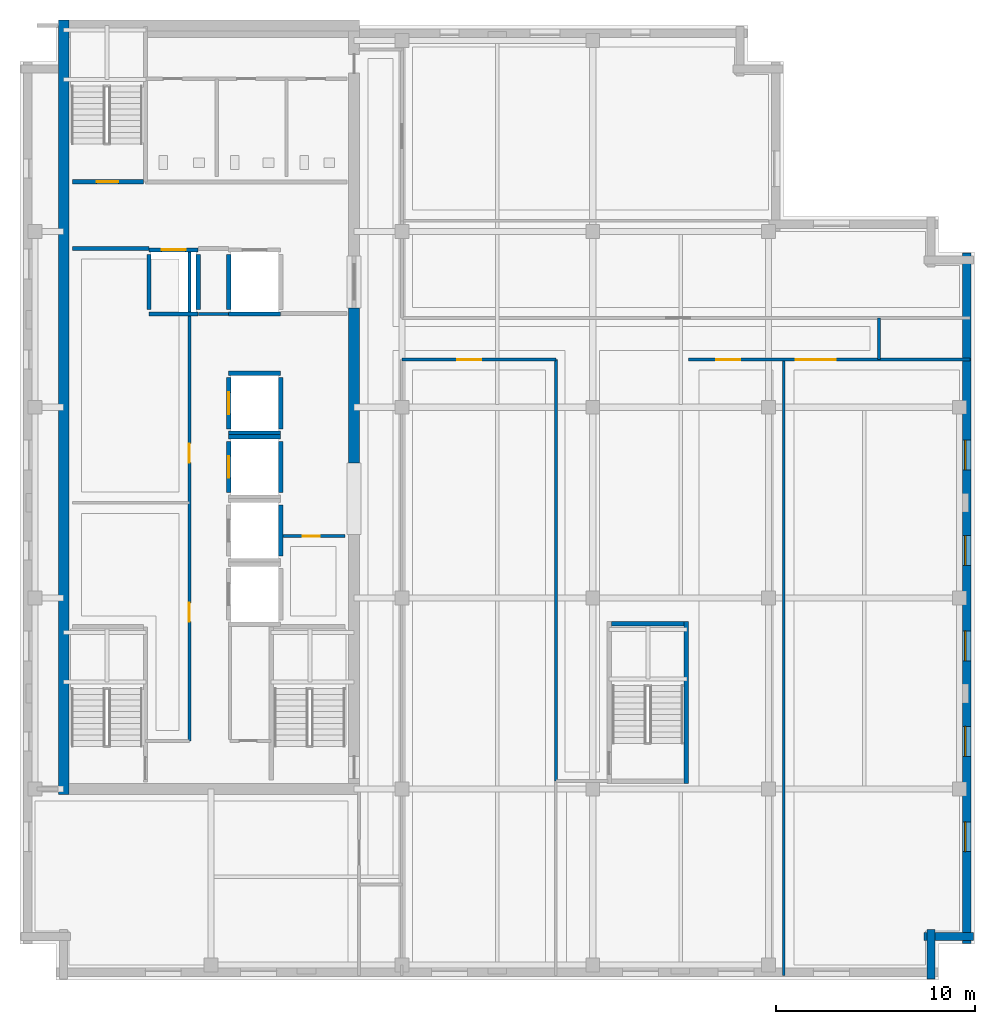
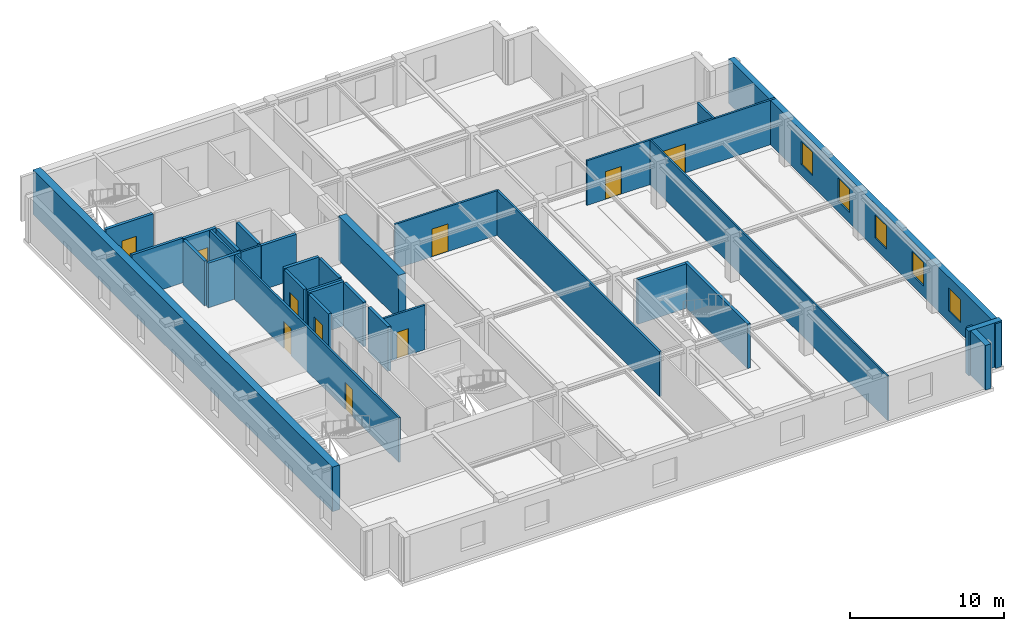
# One storey, part 4 of 11: 31 walls, 10 doors, 5 windows, 15 openings.
"""IFC4 building model written with IfcOpenShell, lengths in metres."""

from ifc_helpers import new_model, si_unit, direction, frame, frame_2d, origin, place, context, subcontext, project, spatial, rectangle, extrude, material, layer, layer_set, type_object, element, fill, save


model = new_model("IFC4")

# Units and contexts
model_context = context("Model", 3, precision=1e-05, world=origin(), true_north=direction((0.0, 1.0)))
body_context = subcontext(model_context, "Body", "Model", "MODEL_VIEW")
ifc_project = project(units=[si_unit("LENGTHUNIT", "METRE"), si_unit("AREAUNIT", "SQUARE_METRE"), si_unit("VOLUMEUNIT", "CUBIC_METRE"), si_unit("PLANEANGLEUNIT", "RADIAN"), si_unit("MASSUNIT", "GRAM", prefix="KILO")], contexts=[model_context])

# Site, building, storey
site_placement = place(None, origin())
site = spatial("IfcSite", under=ifc_project, at=site_placement, CompositionType="ELEMENT")
building_placement = place(site_placement, origin())
building = spatial("IfcBuilding", under=site, at=building_placement, Name="Norrvale University Quadrangle", CompositionType="ELEMENT")
storey_placement = place(building_placement, frame((0.0, 0.0, 300.0)))
storey = spatial("IfcBuildingStorey", under=building, at=storey_placement, Name="L76", CompositionType="ELEMENT", Elevation=300.0)

# Walls
ifc_material_1 = material(Name="Buff Norman Clay Brick Masonry", Category="masonry")
ifc_layer_1 = layer(ifc_material_1, 0.419921875, Name="Buff Norman Clay Brick Masonry")
ifc_layer_set_1 = layer_set([ifc_layer_1], Name="Buff Norman Clay Brick Masonry")
wall_type_1 = type_object("IfcWallType", Name="Wall Buff Brick 420", PredefinedType="SOLIDWALL", material=ifc_layer_set_1)
for number, where, z_axis, x_axis, name in (
    (1, (45.81005859375, 0.0400390625, 0.0), (0.0, 0.0, 1.0), (0.0, 1.0, 0.0), "Exterior Brick Facade Wall L76-02.1"),
    (2, (45.4599609375, 2.18994140625, 0.0), (0.0, 0.0, 1.0), (1.0, 0.0, 0.0), "Exterior Brick Facade Wall L76-03.1"),
):
    element("IfcWall", number, at=place(storey_placement, frame(where, z_axis=z_axis, x_axis=x_axis)), inside=storey, type_object=wall_type_1, Name=name, PredefinedType="SOLIDWALL", context=body_context, shape_type="SweptSolid", body=[
        extrude(rectangle(XDim=2.5, YDim=0.419921875, at=frame_2d((1.25, 0.0))), origin(), (0.0, 0.0, 1.0), 3.5400390625),
    ])

# Wall, openings, windows
wall_1_placement = place(storey_placement, frame((47.610107421875, 1.840087890625, 0.0), z_axis=(0.0, 0.0, 1.0), x_axis=(0.0, 1.0, 0.0)))
wall_1 = element("IfcWall", 3, at=wall_1_placement, inside=storey, type_object=wall_type_1, Name="Exterior Brick Facade Wall L76-04.1", PredefinedType="SOLIDWALL", context=body_context, shape_type="SweptSolid", body=[
    extrude(rectangle(XDim=34.719970703125, YDim=0.419921875, at=frame_2d((17.35986328125, 0.0))), origin(), (0.0, 0.0, 1.0), 3.5400390625),
])
opening_1_placement = place(wall_1_placement, frame((4.610107421875, 0.0, 0.85009765625)))
opening_1 = element("IfcOpeningElement", 4, at=opening_1_placement, cuts=wall_1, Name="Opening W03", PredefinedType="OPENING", context=body_context, shape_type="SweptSolid", body=[
    extrude(rectangle(XDim=1.5, YDim=1.85009765625, at=frame_2d((0.75, 0.925048828125))), frame((0.0, 0.221923828125, 0.0), z_axis=(0.0, -1.0, 0.0), x_axis=(1.0, 0.0, 0.0)), (0.0, 0.0, 1.0), 0.44384765625),
])
opening_2_placement = place(wall_1_placement, frame((9.409912109375, 0.0, 0.85009765625)))
opening_2 = element("IfcOpeningElement", 5, at=opening_2_placement, cuts=wall_1, Name="Opening W03", PredefinedType="OPENING", context=body_context, shape_type="SweptSolid", body=[
    extrude(rectangle(XDim=1.5, YDim=1.85009765625, at=frame_2d((0.75, 0.925048828125))), frame((0.0, 0.221923828125, 0.0), z_axis=(0.0, -1.0, 0.0), x_axis=(1.0, 0.0, 0.0)), (0.0, 0.0, 1.0), 0.44384765625),
])
opening_3_placement = place(wall_1_placement, frame((14.2099609375, 0.0, 0.85009765625)))
opening_3 = element("IfcOpeningElement", 6, at=opening_3_placement, cuts=wall_1, Name="Opening W03", PredefinedType="OPENING", context=body_context, shape_type="SweptSolid", body=[
    extrude(rectangle(XDim=1.5, YDim=1.85009765625, at=frame_2d((0.75, 0.925048828125))), frame((0.0, 0.221923828125, 0.0), z_axis=(0.0, -1.0, 0.0), x_axis=(1.0, 0.0, 0.0)), (0.0, 0.0, 1.0), 0.44384765625),
])
opening_4_placement = place(wall_1_placement, frame((19.010009765625, 0.0, 0.85009765625)))
opening_4 = element("IfcOpeningElement", 7, at=opening_4_placement, cuts=wall_1, Name="Opening W03", PredefinedType="OPENING", context=body_context, shape_type="SweptSolid", body=[
    extrude(rectangle(XDim=1.5, YDim=1.85009765625, at=frame_2d((0.75, 0.925048828125))), frame((0.0, 0.221923828125, 0.0), z_axis=(0.0, -1.0, 0.0), x_axis=(1.0, 0.0, 0.0)), (0.0, 0.0, 1.0), 0.44384765625),
])
opening_5_placement = place(wall_1_placement, frame((23.81005859375, 0.0, 0.85009765625)))
opening_5 = element("IfcOpeningElement", 8, at=opening_5_placement, cuts=wall_1, Name="Opening W03", PredefinedType="OPENING", context=body_context, shape_type="SweptSolid", body=[
    extrude(rectangle(XDim=1.5, YDim=1.85009765625, at=frame_2d((0.75, 0.925048828125))), frame((0.0, 0.221923828125, 0.0), z_axis=(0.0, -1.0, 0.0), x_axis=(1.0, 0.0, 0.0)), (0.0, 0.0, 1.0), 0.44384765625),
])
ifc_material_2 = material(Name="Triple Low-E Argon Glazing", Category="glass")
window_type = type_object("IfcWindowType", Name="Window Studio 1500x2300", PartitioningType="DOUBLE_PANEL_VERTICAL", PredefinedType="WINDOW", material=ifc_material_2)
window_1_placement = place(opening_1_placement, origin())
window_1 = element("IfcWindow", 9, at=window_1_placement, inside=storey, type_object=window_type, Name="Window Studio 1500x2300 WIN-L76-E04-1-01", OverallHeight=1.85009765625, OverallWidth=1.5, PartitioningType="DOUBLE_PANEL_VERTICAL", PredefinedType="WINDOW", context=body_context, shape_type="SweptSolid", body=[
    extrude(rectangle(XDim=1.5, YDim=1.85009765625, at=frame_2d((0.75, 0.925048828125))), frame((0.0, 0.110107421875, 0.0), z_axis=(0.0, -1.0, 0.0), x_axis=(1.0, 0.0, 0.0)), (0.0, 0.0, 1.0), 0.06005859375),
])
fill(opening_1, window_1)
window_2_placement = place(opening_2_placement, origin())
window_2 = element("IfcWindow", 10, at=window_2_placement, inside=storey, type_object=window_type, Name="Window Studio 1500x2300 WIN-L76-E04-1-02", OverallHeight=1.85009765625, OverallWidth=1.5, PartitioningType="DOUBLE_PANEL_VERTICAL", PredefinedType="WINDOW", context=body_context, shape_type="SweptSolid", body=[
    extrude(rectangle(XDim=1.5, YDim=1.85009765625, at=frame_2d((0.75, 0.925048828125))), frame((0.0, 0.110107421875, 0.0), z_axis=(0.0, -1.0, 0.0), x_axis=(1.0, 0.0, 0.0)), (0.0, 0.0, 1.0), 0.06005859375),
])
fill(opening_2, window_2)
window_3_placement = place(opening_3_placement, origin())
window_3 = element("IfcWindow", 11, at=window_3_placement, inside=storey, type_object=window_type, Name="Window Studio 1500x2300 WIN-L76-E04-1-03", OverallHeight=1.85009765625, OverallWidth=1.5, PartitioningType="DOUBLE_PANEL_VERTICAL", PredefinedType="WINDOW", context=body_context, shape_type="SweptSolid", body=[
    extrude(rectangle(XDim=1.5, YDim=1.85009765625, at=frame_2d((0.75, 0.925048828125))), frame((0.0, 0.110107421875, 0.0), z_axis=(0.0, -1.0, 0.0), x_axis=(1.0, 0.0, 0.0)), (0.0, 0.0, 1.0), 0.06005859375),
])
fill(opening_3, window_3)
window_4_placement = place(opening_4_placement, origin())
window_4 = element("IfcWindow", 12, at=window_4_placement, inside=storey, type_object=window_type, Name="Window Studio 1500x2300 WIN-L76-E04-1-04", OverallHeight=1.85009765625, OverallWidth=1.5, PartitioningType="DOUBLE_PANEL_VERTICAL", PredefinedType="WINDOW", context=body_context, shape_type="SweptSolid", body=[
    extrude(rectangle(XDim=1.5, YDim=1.85009765625, at=frame_2d((0.75, 0.925048828125))), frame((0.0, 0.110107421875, 0.0), z_axis=(0.0, -1.0, 0.0), x_axis=(1.0, 0.0, 0.0)), (0.0, 0.0, 1.0), 0.06005859375),
])
fill(opening_4, window_4)
window_5_placement = place(opening_5_placement, origin())
window_5 = element("IfcWindow", 13, at=window_5_placement, inside=storey, type_object=window_type, Name="Window Studio 1500x2300 WIN-L76-E04-1-05", OverallHeight=1.85009765625, OverallWidth=1.5, PartitioningType="DOUBLE_PANEL_VERTICAL", PredefinedType="WINDOW", context=body_context, shape_type="SweptSolid", body=[
    extrude(rectangle(XDim=1.5, YDim=1.85009765625, at=frame_2d((0.75, 0.925048828125))), frame((0.0, 0.110107421875, 0.0), z_axis=(0.0, -1.0, 0.0), x_axis=(1.0, 0.0, 0.0)), (0.0, 0.0, 1.0), 0.06005859375),
])
fill(opening_5, window_5)

# Walls
ifc_material_3 = material(Name="Concrete C60/75", Category="concrete")
ifc_layer_2 = layer(ifc_material_3, 0.550048828125, Name="Concrete C60/75")
ifc_layer_set_2 = layer_set([ifc_layer_2], Name="Concrete C60/75")
wall_type_2 = type_object("IfcWallType", Name="Wall Core 550", PredefinedType="SHEAR", material=ifc_layer_set_2)
wall_2_placement = place(storey_placement, frame((2.199951171875, 9.324951171875, 0.0), z_axis=(0.0, 0.0, 1.0), x_axis=(0.0, 1.0, 0.0)))
element("IfcWall", 14, at=wall_2_placement, inside=storey, type_object=wall_type_2, Name="Tower Core Shear Wall L76-W", PredefinedType="SHEAR", context=body_context, shape_type="SweptSolid", body=[
    extrude(rectangle(XDim=38.949951171875, YDim=0.550048828125, at=frame_2d((19.47509765625, 0.0))), origin(), (0.0, 0.0, 1.0), 3.5400390625),
])
wall_3_placement = place(storey_placement, frame((16.800048828125, 26.0, 0.0), z_axis=(0.0, 0.0, 1.0), x_axis=(0.0, 1.0, 0.0)))
element("IfcWall", 15, at=wall_3_placement, inside=storey, type_object=wall_type_2, Name="Tower Core Shear Wall L76-E2", PredefinedType="SHEAR", context=body_context, shape_type="SweptSolid", body=[
    extrude(rectangle(XDim=7.800048828125, YDim=0.550048828125, at=frame_2d((3.89990234375, 0.0))), origin(), (0.0, 0.0, 1.0), 3.5400390625),
])
ifc_material_4 = material(Name="Standard Academic Gypsum Partition")
ifc_layer_3 = layer(ifc_material_4, 0.125, Name="Standard Academic Gypsum Partition")
ifc_layer_set_3 = layer_set([ifc_layer_3], Name="Standard Academic Gypsum Partition")
wall_type_3 = type_object("IfcWallType", Name="Wall Gypsum Academic 125", PredefinedType="PARTITIONING", material=ifc_layer_set_3)
wall_4_placement = place(storey_placement, frame((38.39990234375, 0.219970703125, 0.0), z_axis=(0.0, 0.0, 1.0), x_axis=(0.0, 1.0, 0.0)))
element("IfcWall", 16, at=wall_4_placement, inside=storey, type_object=wall_type_3, Name="Interior Partition WL-L76-SEP2", PredefinedType="PARTITIONING", context=body_context, shape_type="SweptSolid", body=[
    extrude(rectangle(XDim=30.97998046875, YDim=0.125, at=frame_2d((15.489990234375, 0.0))), origin(), (0.0, 0.0, 1.0), 3.5400390625),
])
ifc_material_5 = material(Name="Fire-Rated Gypsum Stud Partition")
ifc_layer_4 = layer(ifc_material_5, 0.14990234375, Name="Fire-Rated Gypsum Stud Partition")
ifc_layer_set_4 = layer_set([ifc_layer_4], Name="Fire-Rated Gypsum Stud Partition")
wall_type_4 = type_object("IfcWallType", Name="Wall Gypsum Corridor 150", PredefinedType="PARTITIONING", material=ifc_layer_set_4)
wall_5_placement = place(storey_placement, frame((8.965087890625, 33.489990234375, 0.0), z_axis=(0.0, 0.0, 1.0), x_axis=(1.0, 0.0, 0.0)))
element("IfcWall", 17, at=wall_5_placement, inside=storey, type_object=wall_type_4, Name="Interior Partition WL-L76-LL3", PredefinedType="PARTITIONING", context=body_context, shape_type="SweptSolid", body=[
    extrude(rectangle(XDim=1.52001953125, YDim=0.14990234375, at=frame_2d((0.760009765625, 0.0))), origin(), (0.0, 0.0, 1.0), 3.5400390625),
])

# Wall, opening, door
wall_6_placement = place(storey_placement, frame((13.22509765625, 22.320068359375, 0.0), z_axis=(0.0, 0.0, 1.0), x_axis=(1.0, 0.0, 0.0)))
wall_6 = element("IfcWall", 18, at=wall_6_placement, inside=storey, type_object=wall_type_4, Name="Interior Partition WL-L76-JAN-N", PredefinedType="PARTITIONING", context=body_context, shape_type="SweptSolid", body=[
    extrude(rectangle(XDim=3.119873046875, YDim=0.14990234375, at=frame_2d((1.56005859375, 0.0))), origin(), (0.0, 0.0, 1.0), 3.5400390625),
])
opening_6_placement = place(wall_6_placement, frame((1.0, 0.0, 0.0)))
opening_6 = element("IfcOpeningElement", 19, at=opening_6_placement, cuts=wall_6, Name="Opening D10", PredefinedType="OPENING", context=body_context, shape_type="SweptSolid", body=[
    extrude(rectangle(XDim=0.85009765625, YDim=2.10009765625, at=frame_2d((0.425048828125, 1.050048828125))), frame((0.0, 0.0869140625, 0.0), z_axis=(0.0, -1.0, 0.0), x_axis=(1.0, 0.0, 0.0)), (0.0, 0.0, 1.0), 0.173828125),
])
ifc_material_6 = material(Name="Hollow Steel 350W Riser Fire Door", Category="steel")
door_type_1 = type_object("IfcDoorType", Name="Door Riser 850x2100", OperationType="NOTDEFINED", PredefinedType="DOOR", material=ifc_material_6)
door_1_placement = place(opening_6_placement, origin())
door_1 = element("IfcDoor", 20, at=door_1_placement, inside=storey, type_object=door_type_1, Name="Door Riser 850x2100 DR-L76-JAN", OperationType="SINGLE_SWING_LEFT", OverallHeight=2.10009765625, OverallWidth=0.85009765625, PredefinedType="DOOR", context=body_context, shape_type="SweptSolid", body=[
    extrude(rectangle(XDim=0.85009765625, YDim=2.10009765625, at=frame_2d((0.425048828125, 1.050048828125))), frame((0.0, 0.02490234375, 0.0), z_axis=(0.0, -1.0, 0.0), x_axis=(1.0, 0.0, 0.0)), (0.0, 0.0, 1.0), 0.050048828125),
])
fill(opening_6, door_1)

# Wall, openings, doors
wall_7_placement = place(storey_placement, frame((8.52001953125, 12.02001953125, 0.0), z_axis=(0.0, 0.0, 1.0), x_axis=(0.0, 1.0, 0.0)))
wall_7 = element("IfcWall", 21, at=wall_7_placement, inside=storey, type_object=wall_type_4, Name="Interior Partition WL-L76-REC-E", PredefinedType="PARTITIONING", context=body_context, shape_type="SweptSolid", body=[
    extrude(rectangle(XDim=24.760009765625, YDim=0.14990234375, at=frame_2d((12.3798828125, 0.0))), origin(), (0.0, 0.0, 1.0), 3.5400390625),
])
opening_7_placement = place(wall_7_placement, frame((6.0, 0.0, 0.0)))
opening_7 = element("IfcOpeningElement", 22, at=opening_7_placement, cuts=wall_7, Name="Opening D07", PredefinedType="OPENING", context=body_context, shape_type="SweptSolid", body=[
    extrude(rectangle(XDim=0.949951171875, YDim=2.14990234375, at=frame_2d((0.47509765625, 1.074951171875))), frame((0.0, 0.0869140625, 0.0), z_axis=(0.0, -1.0, 0.0), x_axis=(1.0, 0.0, 0.0)), (0.0, 0.0, 1.0), 0.173828125),
])
opening_8_placement = place(wall_7_placement, frame((14.0, 0.0, 0.0)))
opening_8 = element("IfcOpeningElement", 23, at=opening_8_placement, cuts=wall_7, Name="Opening D07", PredefinedType="OPENING", context=body_context, shape_type="SweptSolid", body=[
    extrude(rectangle(XDim=0.949951171875, YDim=2.14990234375, at=frame_2d((0.47509765625, 1.074951171875))), frame((0.0, 0.0869140625, 0.0), z_axis=(0.0, -1.0, 0.0), x_axis=(1.0, 0.0, 0.0)), (0.0, 0.0, 1.0), 0.173828125),
])
ifc_material_7 = material(Name="Solid-Core Maple Door", Category="wood")
door_type_2 = type_object("IfcDoorType", Name="Door Office 950x2150", OperationType="NOTDEFINED", PredefinedType="DOOR", material=ifc_material_7)
door_2_placement = place(opening_7_placement, origin())
door_2 = element("IfcDoor", 24, at=door_2_placement, inside=storey, type_object=door_type_2, Name="Door Office 950x2150 DR-L76-REC1", OperationType="SINGLE_SWING_LEFT", OverallHeight=2.14990234375, OverallWidth=0.949951171875, PredefinedType="DOOR", context=body_context, shape_type="SweptSolid", body=[
    extrude(rectangle(XDim=0.949951171875, YDim=2.14990234375, at=frame_2d((0.47509765625, 1.074951171875))), frame((0.0, 0.02490234375, 0.0), z_axis=(0.0, -1.0, 0.0), x_axis=(1.0, 0.0, 0.0)), (0.0, 0.0, 1.0), 0.050048828125),
])
fill(opening_7, door_2)
door_3_placement = place(opening_8_placement, origin())
door_3 = element("IfcDoor", 25, at=door_3_placement, inside=storey, type_object=door_type_2, Name="Door Office 950x2150 DR-L76-REC2", OperationType="SINGLE_SWING_RIGHT", OverallHeight=2.14990234375, OverallWidth=0.949951171875, PredefinedType="DOOR", context=body_context, shape_type="SweptSolid", body=[
    extrude(rectangle(XDim=0.949951171875, YDim=2.14990234375, at=frame_2d((0.47509765625, 1.074951171875))), frame((0.0, 0.02490234375, 0.0), z_axis=(0.0, -1.0, 0.0), x_axis=(1.0, 0.0, 0.0)), (0.0, 0.0, 1.0), 0.050048828125),
])
fill(opening_8, door_3)

# Wall
wall_8_placement = place(storey_placement, frame((43.199951171875, 31.199951171875, 0.0), z_axis=(0.0, 0.0, 1.0), x_axis=(0.0, 1.0, 0.0)))
element("IfcWall", 26, at=wall_8_placement, inside=storey, type_object=wall_type_4, Name="Interior Partition WL-L76-CESP-E", PredefinedType="PARTITIONING", context=body_context, shape_type="SweptSolid", body=[
    extrude(rectangle(XDim=2.10009765625, YDim=0.14990234375, at=frame_2d((1.050048828125, 0.0))), origin(), (0.0, 0.0, 1.0), 3.5400390625),
])

# Wall, opening, door
wall_9_placement = place(storey_placement, frame((19.199951171875, 31.199951171875, 0.0), z_axis=(0.0, 0.0, 1.0), x_axis=(1.0, 0.0, 0.0)))
wall_9 = element("IfcWall", 27, at=wall_9_placement, inside=storey, type_object=wall_type_4, Name="Interior Partition WL-L76-SEW1", PredefinedType="PARTITIONING", context=body_context, shape_type="SweptSolid", body=[
    extrude(rectangle(XDim=7.75, YDim=0.14990234375, at=frame_2d((3.875, 0.0))), origin(), (0.0, 0.0, 1.0), 3.5400390625),
])
opening_9_placement = place(wall_9_placement, frame((2.800048828125, 0.0, 0.0)))
opening_9 = element("IfcOpeningElement", 28, at=opening_9_placement, cuts=wall_9, Name="Opening D05", PredefinedType="OPENING", context=body_context, shape_type="SweptSolid", body=[
    extrude(rectangle(XDim=1.199951171875, YDim=2.199951171875, at=frame_2d((0.60009765625, 1.10009765625))), frame((0.0, 0.0869140625, 0.0), z_axis=(0.0, -1.0, 0.0), x_axis=(1.0, 0.0, 0.0)), (0.0, 0.0, 1.0), 0.173828125),
])
ifc_material_8 = material(Name="Acoustic Oak Classroom Door", Category="wood")
door_type_3 = type_object("IfcDoorType", Name="Door Classroom 1200x2200", OperationType="NOTDEFINED", PredefinedType="DOOR", material=ifc_material_8)
door_4_placement = place(opening_9_placement, origin())
door_4 = element("IfcDoor", 29, at=door_4_placement, inside=storey, type_object=door_type_3, Name="Door Classroom 1200x2200 DR-L76-SE1", OperationType="SINGLE_SWING_LEFT", OverallHeight=2.199951171875, OverallWidth=1.199951171875, PredefinedType="DOOR", context=body_context, shape_type="SweptSolid", body=[
    extrude(rectangle(XDim=1.199951171875, YDim=2.199951171875, at=frame_2d((0.60009765625, 1.10009765625))), frame((0.0, 0.02490234375, 0.0), z_axis=(0.0, -1.0, 0.0), x_axis=(1.0, 0.0, 0.0)), (0.0, 0.0, 1.0), 0.050048828125),
])
fill(opening_9, door_4)

# Wall
wall_10_placement = place(storey_placement, frame((26.949951171875, 10.0, 0.0), z_axis=(0.0, 0.0, 1.0), x_axis=(0.0, 1.0, 0.0)))
element("IfcWall", 30, at=wall_10_placement, inside=storey, type_object=wall_type_4, Name="Interior Partition WL-L76-SEP1B", PredefinedType="PARTITIONING", context=body_context, shape_type="SweptSolid", body=[
    extrude(rectangle(XDim=21.199951171875, YDim=0.14990234375, at=frame_2d((10.60009765625, 0.0))), origin(), (0.0, 0.0, 1.0), 3.5400390625),
])

# Wall, openings, doors
wall_11_placement = place(storey_placement, frame((33.6201171875, 31.199951171875, 0.0), z_axis=(0.0, 0.0, 1.0), x_axis=(1.0, 0.0, 0.0)))
wall_11 = element("IfcWall", 31, at=wall_11_placement, inside=storey, type_object=wall_type_4, Name="Interior Partition WL-L76-SEW2", PredefinedType="PARTITIONING", context=body_context, shape_type="SweptSolid", body=[
    extrude(rectangle(XDim=14.159912109375, YDim=0.14990234375, at=frame_2d((7.080078125, 0.0))), origin(), (0.0, 0.0, 1.0), 3.5400390625),
])
opening_10_placement = place(wall_11_placement, frame((1.39990234375, 0.0, 0.0)))
opening_10 = element("IfcOpeningElement", 32, at=opening_10_placement, cuts=wall_11, Name="Opening D05", PredefinedType="OPENING", context=body_context, shape_type="SweptSolid", body=[
    extrude(rectangle(XDim=1.199951171875, YDim=2.199951171875, at=frame_2d((0.60009765625, 1.10009765625))), frame((0.0, 0.0869140625, 0.0), z_axis=(0.0, -1.0, 0.0), x_axis=(1.0, 0.0, 0.0)), (0.0, 0.0, 1.0), 0.173828125),
])
opening_11_placement = place(wall_11_placement, frame((5.39990234375, 0.0, 0.0)))
opening_11 = element("IfcOpeningElement", 33, at=opening_11_placement, cuts=wall_11, Name="Opening D06", PredefinedType="OPENING", context=body_context, shape_type="SweptSolid", body=[
    extrude(rectangle(XDim=2.0, YDim=2.300048828125, at=frame_2d((1.0, 1.14990234375))), frame((0.0, 0.0869140625, 0.0), z_axis=(0.0, -1.0, 0.0), x_axis=(1.0, 0.0, 0.0)), (0.0, 0.0, 1.0), 0.173828125),
])
door_5_placement = place(opening_10_placement, origin())
door_5 = element("IfcDoor", 34, at=door_5_placement, inside=storey, type_object=door_type_3, Name="Door Classroom 1200x2200 DR-L76-SE2", OperationType="SINGLE_SWING_RIGHT", OverallHeight=2.199951171875, OverallWidth=1.199951171875, PredefinedType="DOOR", context=body_context, shape_type="SweptSolid", body=[
    extrude(rectangle(XDim=1.199951171875, YDim=2.199951171875, at=frame_2d((0.60009765625, 1.10009765625))), frame((0.0, 0.02490234375, 0.0), z_axis=(0.0, -1.0, 0.0), x_axis=(1.0, 0.0, 0.0)), (0.0, 0.0, 1.0), 0.050048828125),
])
fill(opening_10, door_5)
ifc_material_9 = material(Name="Acoustic Oak Double Door", Category="wood")
door_type_4 = type_object("IfcDoorType", Name="Door Lecture Dbl 2000x2300", OperationType="DOUBLE_SWING_LEFT", PredefinedType="DOOR", material=ifc_material_9)
door_6_placement = place(opening_11_placement, origin())
door_6 = element("IfcDoor", 35, at=door_6_placement, inside=storey, type_object=door_type_4, Name="Door Lecture Dbl 2000x2300 DR-L76-SE3", OperationType="DOUBLE_SWING_LEFT", OverallHeight=2.300048828125, OverallWidth=2.0, PredefinedType="DOOR", context=body_context, shape_type="SweptSolid", body=[
    extrude(rectangle(XDim=2.0, YDim=2.300048828125, at=frame_2d((1.0, 1.14990234375))), frame((0.0, 0.02490234375, 0.0), z_axis=(0.0, -1.0, 0.0), x_axis=(1.0, 0.0, 0.0)), (0.0, 0.0, 1.0), 0.050048828125),
])
fill(opening_11, door_6)

# Wall
ifc_material_10 = material(Name="Concrete Blockwork 20 MPa Rated Wall", Category="masonry")
ifc_layer_5 = layer(ifc_material_10, 0.199951171875, Name="Concrete Blockwork 20 MPa Rated Wall")
ifc_layer_set_5 = layer_set([ifc_layer_5], Name="Concrete Blockwork 20 MPa Rated Wall")
wall_type_5 = type_object("IfcWallType", Name="Wall Lobby 200", PredefinedType="SOLIDWALL", material=ifc_layer_set_5)
wall_12_placement = place(storey_placement, frame((2.64990234375, 36.780029296875, 0.0), z_axis=(0.0, 0.0, 1.0), x_axis=(1.0, 0.0, 0.0)))
element("IfcWall", 36, at=wall_12_placement, inside=storey, type_object=wall_type_5, Name="Interior Partition WL-L76-FF1", PredefinedType="SOLIDWALL", context=body_context, shape_type="SweptSolid", body=[
    extrude(rectangle(XDim=3.830078125, YDim=0.199951171875, at=frame_2d((1.9150390625, 0.0))), origin(), (0.0, 0.0, 1.0), 3.5400390625),
])

# Wall, opening, door
ifc_material_11 = material(Name="Concrete Blockwork 20 MPa Fire Shaft", Category="masonry")
ifc_layer_6 = layer(ifc_material_11, 0.219970703125, Name="Concrete Blockwork 20 MPa Fire Shaft")
ifc_layer_set_6 = layer_set([ifc_layer_6], Name="Concrete Blockwork 20 MPa Fire Shaft")
wall_type_6 = type_object("IfcWallType", Name="Wall Shaft 220", PredefinedType="SOLIDWALL", material=ifc_layer_set_6)
wall_13_placement = place(storey_placement, frame((2.64990234375, 40.139892578125, 0.0), z_axis=(0.0, 0.0, 1.0), x_axis=(1.0, 0.0, 0.0)))
wall_13 = element("IfcWall", 37, at=wall_13_placement, inside=storey, type_object=wall_type_6, Name="Stair ST-02 South Shaft Wall L76", PredefinedType="SOLIDWALL", context=body_context, shape_type="SweptSolid", body=[
    extrude(rectangle(XDim=3.550048828125, YDim=0.219970703125, at=frame_2d((1.77490234375, 0.0))), origin(), (0.0, 0.0, 1.0), 3.5400390625),
])
opening_12_placement = place(wall_13_placement, frame((1.199951171875, 0.0, 0.0)))
opening_12 = element("IfcOpeningElement", 38, at=opening_12_placement, cuts=wall_13, Name="Opening D02", PredefinedType="OPENING", context=body_context, shape_type="SweptSolid", body=[
    extrude(rectangle(XDim=1.10009765625, YDim=2.199951171875, at=frame_2d((0.550048828125, 1.10009765625))), frame((0.0, 0.1220703125, 0.0), z_axis=(0.0, -1.0, 0.0), x_axis=(1.0, 0.0, 0.0)), (0.0, 0.0, 1.0), 0.243896484375),
])
ifc_material_12 = material(Name="Hollow Steel 350W Fire Door", Category="steel")
door_type_5 = type_object("IfcDoorType", Name="Door Stair Exit 1100x2200", OperationType="NOTDEFINED", PredefinedType="DOOR", material=ifc_material_12)
door_7_placement = place(opening_12_placement, origin())
door_7 = element("IfcDoor", 39, at=door_7_placement, inside=storey, type_object=door_type_5, Name="Door Stair Exit 1100x2200 DR-L76-ST02", OperationType="SINGLE_SWING_LEFT", OverallHeight=2.199951171875, OverallWidth=1.10009765625, PredefinedType="DOOR", context=body_context, shape_type="SweptSolid", body=[
    extrude(rectangle(XDim=1.10009765625, YDim=2.199951171875, at=frame_2d((0.550048828125, 1.10009765625))), frame((0.0, 0.02490234375, 0.0), z_axis=(0.0, -1.0, 0.0), x_axis=(1.0, 0.0, 0.0)), (0.0, 0.0, 1.0), 0.050048828125),
])
fill(opening_12, door_7)

# Walls
wall_14_placement = place(storey_placement, frame((33.510009765625, 9.8798828125, 0.0), z_axis=(0.0, 0.0, 1.0), x_axis=(0.0, 1.0, 0.0)))
element("IfcWall", 40, at=wall_14_placement, inside=storey, type_object=wall_type_6, Name="Stair ST-04 East Shaft Wall L76", PredefinedType="SOLIDWALL", context=body_context, shape_type="SweptSolid", body=[
    extrude(rectangle(XDim=8.14013671875, YDim=0.219970703125, at=frame_2d((4.070068359375, 0.0))), origin(), (0.0, 0.0, 1.0), 3.5400390625),
])
wall_15_placement = place(storey_placement, frame((29.75, 17.909912109375, 0.0), z_axis=(0.0, 0.0, 1.0), x_axis=(1.0, 0.0, 0.0)))
element("IfcWall", 41, at=wall_15_placement, inside=storey, type_object=wall_type_6, Name="Stair ST-04 North Shaft Wall L76", PredefinedType="SOLIDWALL", context=body_context, shape_type="SweptSolid", body=[
    extrude(rectangle(XDim=3.64990234375, YDim=0.219970703125, at=frame_2d((1.824951171875, 0.0))), origin(), (0.0, 0.0, 1.0), 3.5400390625),
])
wall_16_placement = place(storey_placement, frame((13.110107421875, 21.31005859375, 0.0), z_axis=(0.0, 0.0, 1.0), x_axis=(0.0, 1.0, 0.0)))
element("IfcWall", 42, at=wall_16_placement, inside=storey, type_object=wall_type_6, Name="Hoistway PL-06 East Wall L76", PredefinedType="SOLIDWALL", context=body_context, shape_type="SweptSolid", body=[
    extrude(rectangle(XDim=2.579833984375, YDim=0.219970703125, at=frame_2d((1.2900390625, 0.0))), origin(), (0.0, 0.0, 1.0), 3.5400390625),
])

# Wall, opening, door
wall_17_placement = place(storey_placement, frame((10.489990234375, 24.510009765625, 0.0), z_axis=(0.0, 0.0, 1.0), x_axis=(0.0, 1.0, 0.0)))
wall_17 = element("IfcWall", 43, at=wall_17_placement, inside=storey, type_object=wall_type_6, Name="Hoistway PL-07 West Wall L76", PredefinedType="SOLIDWALL", context=body_context, shape_type="SweptSolid", body=[
    extrude(rectangle(XDim=2.580078125, YDim=0.219970703125, at=frame_2d((1.2900390625, 0.0))), origin(), (0.0, 0.0, 1.0), 3.5400390625),
])
opening_13_placement = place(wall_17_placement, frame((0.739990234375, 0.0, 0.0)))
opening_13 = element("IfcOpeningElement", 44, at=opening_13_placement, cuts=wall_17, Name="Opening LD1", PredefinedType="OPENING", context=body_context, shape_type="SweptSolid", body=[
    extrude(rectangle(XDim=1.10009765625, YDim=2.199951171875, at=frame_2d((0.550048828125, 1.10009765625))), frame((0.0, 0.1220703125, 0.0), z_axis=(0.0, -1.0, 0.0), x_axis=(1.0, 0.0, 0.0)), (0.0, 0.0, 1.0), 0.243896484375),
])
ifc_material_13 = material(Name="Stainless Steel 316L Lift Landing Door", Category="steel")
door_type_6 = type_object("IfcDoorType", Name="Door Lift Landing 1100x2200", OperationType="DOUBLE_DOOR_SLIDING", PredefinedType="DOOR", material=ifc_material_13)
door_8_placement = place(opening_13_placement, origin())
door_8 = element("IfcDoor", 45, at=door_8_placement, inside=storey, type_object=door_type_6, Name="Elevator Landing Door DR-L76-PL-07", OperationType="DOUBLE_DOOR_SLIDING", OverallHeight=2.199951171875, OverallWidth=1.10009765625, PredefinedType="DOOR", context=body_context, shape_type="SweptSolid", body=[
    extrude(rectangle(XDim=1.10009765625, YDim=2.199951171875, at=frame_2d((0.550048828125, 1.10009765625))), frame((0.0, 0.02490234375, 0.0), z_axis=(0.0, -1.0, 0.0), x_axis=(1.0, 0.0, 0.0)), (0.0, 0.0, 1.0), 0.050048828125),
])
fill(opening_13, door_8)

# Walls
wall_18_placement = place(storey_placement, frame((13.110107421875, 24.510009765625, 0.0), z_axis=(0.0, 0.0, 1.0), x_axis=(0.0, 1.0, 0.0)))
element("IfcWall", 46, at=wall_18_placement, inside=storey, type_object=wall_type_6, Name="Hoistway PL-07 East Wall L76", PredefinedType="SOLIDWALL", context=body_context, shape_type="SweptSolid", body=[
    extrude(rectangle(XDim=2.580078125, YDim=0.219970703125, at=frame_2d((1.2900390625, 0.0))), origin(), (0.0, 0.0, 1.0), 3.5400390625),
])
wall_19_placement = place(storey_placement, frame((10.489990234375, 27.31005859375, 0.0), z_axis=(0.0, 0.0, 1.0), x_axis=(1.0, 0.0, 0.0)))
element("IfcWall", 47, at=wall_19_placement, inside=storey, type_object=wall_type_6, Name="Hoistway PL-07 North Wall L76", PredefinedType="SOLIDWALL", context=body_context, shape_type="SweptSolid", body=[
    extrude(rectangle(XDim=2.6201171875, YDim=0.219970703125, at=frame_2d((1.31005859375, 0.0))), origin(), (0.0, 0.0, 1.0), 3.5400390625),
])

# Wall, opening, door
wall_20_placement = place(storey_placement, frame((10.489990234375, 27.7099609375, 0.0), z_axis=(0.0, 0.0, 1.0), x_axis=(0.0, 1.0, 0.0)))
wall_20 = element("IfcWall", 48, at=wall_20_placement, inside=storey, type_object=wall_type_6, Name="Hoistway PL-08 West Wall L76", PredefinedType="SOLIDWALL", context=body_context, shape_type="SweptSolid", body=[
    extrude(rectangle(XDim=2.580078125, YDim=0.219970703125, at=frame_2d((1.2900390625, 0.0))), origin(), (0.0, 0.0, 1.0), 3.5400390625),
])
opening_14_placement = place(wall_20_placement, frame((0.739990234375, 0.0, 0.0)))
opening_14 = element("IfcOpeningElement", 49, at=opening_14_placement, cuts=wall_20, Name="Opening LD1", PredefinedType="OPENING", context=body_context, shape_type="SweptSolid", body=[
    extrude(rectangle(XDim=1.10009765625, YDim=2.199951171875, at=frame_2d((0.550048828125, 1.10009765625))), frame((0.0, 0.1220703125, 0.0), z_axis=(0.0, -1.0, 0.0), x_axis=(1.0, 0.0, 0.0)), (0.0, 0.0, 1.0), 0.243896484375),
])
door_9_placement = place(opening_14_placement, origin())
door_9 = element("IfcDoor", 50, at=door_9_placement, inside=storey, type_object=door_type_6, Name="Elevator Landing Door DR-L76-PL-08", OperationType="DOUBLE_DOOR_SLIDING", OverallHeight=2.199951171875, OverallWidth=1.10009765625, PredefinedType="DOOR", context=body_context, shape_type="SweptSolid", body=[
    extrude(rectangle(XDim=1.10009765625, YDim=2.199951171875, at=frame_2d((0.550048828125, 1.10009765625))), frame((0.0, 0.02490234375, 0.0), z_axis=(0.0, -1.0, 0.0), x_axis=(1.0, 0.0, 0.0)), (0.0, 0.0, 1.0), 0.050048828125),
])
fill(opening_14, door_9)

# Walls
wall_21_placement = place(storey_placement, frame((13.110107421875, 27.7099609375, 0.0), z_axis=(0.0, 0.0, 1.0), x_axis=(0.0, 1.0, 0.0)))
element("IfcWall", 51, at=wall_21_placement, inside=storey, type_object=wall_type_6, Name="Hoistway PL-08 East Wall L76", PredefinedType="SOLIDWALL", context=body_context, shape_type="SweptSolid", body=[
    extrude(rectangle(XDim=2.580078125, YDim=0.219970703125, at=frame_2d((1.2900390625, 0.0))), origin(), (0.0, 0.0, 1.0), 3.5400390625),
])
for number, where, z_axis, x_axis, name in (
    (52, (10.489990234375, 27.489990234375, 0.0), (0.0, 0.0, 1.0), (1.0, 0.0, 0.0), "Hoistway PL-08 South Wall L76"),
    (53, (10.489990234375, 30.510009765625, 0.0), (0.0, 0.0, 1.0), (1.0, 0.0, 0.0), "Hoistway PL-08 North Wall L76"),
):
    element("IfcWall", number, at=place(storey_placement, frame(where, z_axis=z_axis, x_axis=x_axis)), inside=storey, type_object=wall_type_6, Name=name, PredefinedType="SOLIDWALL", context=body_context, shape_type="SweptSolid", body=[
        extrude(rectangle(XDim=2.6201171875, YDim=0.219970703125, at=frame_2d((1.31005859375, 0.0))), origin(), (0.0, 0.0, 1.0), 3.5400390625),
    ])
for number, where, z_axis, x_axis, name in (
    (54, (6.489990234375, 33.7099609375, 0.0), (0.0, 0.0, 1.0), (0.0, 1.0, 0.0), "Hoistway FFL-01 West Wall L76"),
    (55, (8.9599609375, 33.7099609375, 0.0), (0.0, 0.0, 1.0), (0.0, 1.0, 0.0), "Hoistway FFL-01 East Wall L76"),
):
    element("IfcWall", number, at=place(storey_placement, frame(where, z_axis=z_axis, x_axis=x_axis)), inside=storey, type_object=wall_type_6, Name=name, PredefinedType="SOLIDWALL", context=body_context, shape_type="SweptSolid", body=[
        extrude(rectangle(XDim=2.780029296875, YDim=0.219970703125, at=frame_2d((1.39013671875, 0.0))), origin(), (0.0, 0.0, 1.0), 3.5400390625),
    ])
wall_22_placement = place(storey_placement, frame((6.489990234375, 33.489990234375, 0.0), z_axis=(0.0, 0.0, 1.0), x_axis=(1.0, 0.0, 0.0)))
element("IfcWall", 56, at=wall_22_placement, inside=storey, type_object=wall_type_6, Name="Hoistway FFL-01 South Wall L76", PredefinedType="SOLIDWALL", context=body_context, shape_type="SweptSolid", body=[
    extrude(rectangle(XDim=2.469970703125, YDim=0.219970703125, at=frame_2d((1.23486328125, 0.0))), origin(), (0.0, 0.0, 1.0), 3.5400390625),
])

# Wall, opening, door
wall_23_placement = place(storey_placement, frame((6.489990234375, 36.7099609375, 0.0), z_axis=(0.0, 0.0, 1.0), x_axis=(1.0, 0.0, 0.0)))
wall_23 = element("IfcWall", 57, at=wall_23_placement, inside=storey, type_object=wall_type_6, Name="Hoistway FFL-01 North Wall L76", PredefinedType="SOLIDWALL", context=body_context, shape_type="SweptSolid", body=[
    extrude(rectangle(XDim=2.469970703125, YDim=0.219970703125, at=frame_2d((1.23486328125, 0.0))), origin(), (0.0, 0.0, 1.0), 3.5400390625),
])
opening_15_placement = place(wall_23_placement, frame((0.635009765625, 0.0, 0.0)))
opening_15 = element("IfcOpeningElement", 58, at=opening_15_placement, cuts=wall_23, Name="Opening LD2", PredefinedType="OPENING", context=body_context, shape_type="SweptSolid", body=[
    extrude(rectangle(XDim=1.199951171875, YDim=2.199951171875, at=frame_2d((0.60009765625, 1.10009765625))), frame((0.0, 0.1220703125, 0.0), z_axis=(0.0, -1.0, 0.0), x_axis=(1.0, 0.0, 0.0)), (0.0, 0.0, 1.0), 0.243896484375),
])
ifc_material_14 = material(Name="Stainless Steel 316L Firefighter Lift Door", Category="steel")
door_type_7 = type_object("IfcDoorType", Name="Door Fire Lift 1200x2200", OperationType="DOUBLE_DOOR_SLIDING", PredefinedType="DOOR", material=ifc_material_14)
door_10_placement = place(opening_15_placement, origin())
door_10 = element("IfcDoor", 59, at=door_10_placement, inside=storey, type_object=door_type_7, Name="Elevator Landing Door DR-L76-FFL-01", OperationType="DOUBLE_DOOR_SLIDING", OverallHeight=2.199951171875, OverallWidth=1.199951171875, PredefinedType="DOOR", context=body_context, shape_type="SweptSolid", body=[
    extrude(rectangle(XDim=1.199951171875, YDim=2.199951171875, at=frame_2d((0.60009765625, 1.10009765625))), frame((0.0, 0.02490234375, 0.0), z_axis=(0.0, -1.0, 0.0), x_axis=(1.0, 0.0, 0.0)), (0.0, 0.0, 1.0), 0.050048828125),
])
fill(opening_15, door_10)

# Walls
wall_24_placement = place(storey_placement, frame((10.489990234375, 33.7099609375, 0.0), z_axis=(0.0, 0.0, 1.0), x_axis=(0.0, 1.0, 0.0)))
element("IfcWall", 60, at=wall_24_placement, inside=storey, type_object=wall_type_6, Name="Hoistway FFL-02 West Wall L76", PredefinedType="SOLIDWALL", context=body_context, shape_type="SweptSolid", body=[
    extrude(rectangle(XDim=2.780029296875, YDim=0.219970703125, at=frame_2d((1.39013671875, 0.0))), origin(), (0.0, 0.0, 1.0), 3.5400390625),
])
wall_25_placement = place(storey_placement, frame((10.489990234375, 33.489990234375, 0.0), z_axis=(0.0, 0.0, 1.0), x_axis=(1.0, 0.0, 0.0)))
element("IfcWall", 61, at=wall_25_placement, inside=storey, type_object=wall_type_6, Name="Hoistway FFL-02 South Wall L76", PredefinedType="SOLIDWALL", context=body_context, shape_type="SweptSolid", body=[
    extrude(rectangle(XDim=2.6201171875, YDim=0.219970703125, at=frame_2d((1.31005859375, 0.0))), origin(), (0.0, 0.0, 1.0), 3.5400390625),
])

save(model, "model.ifc")
